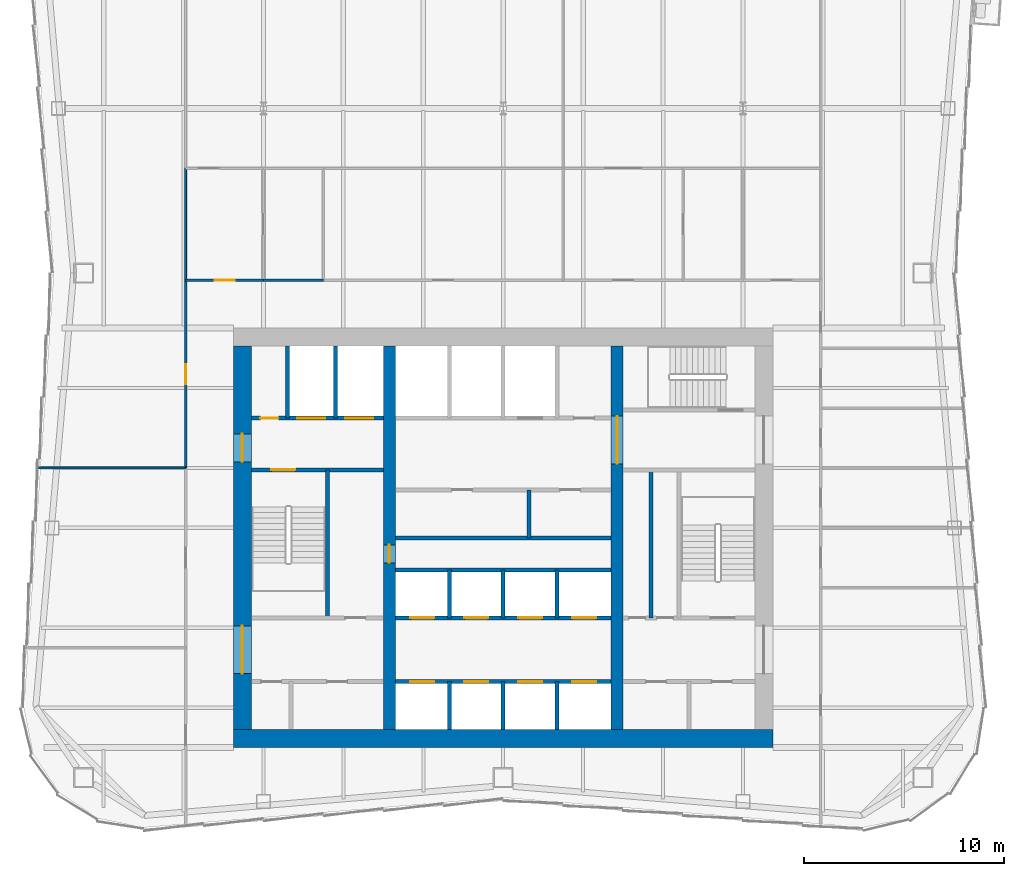
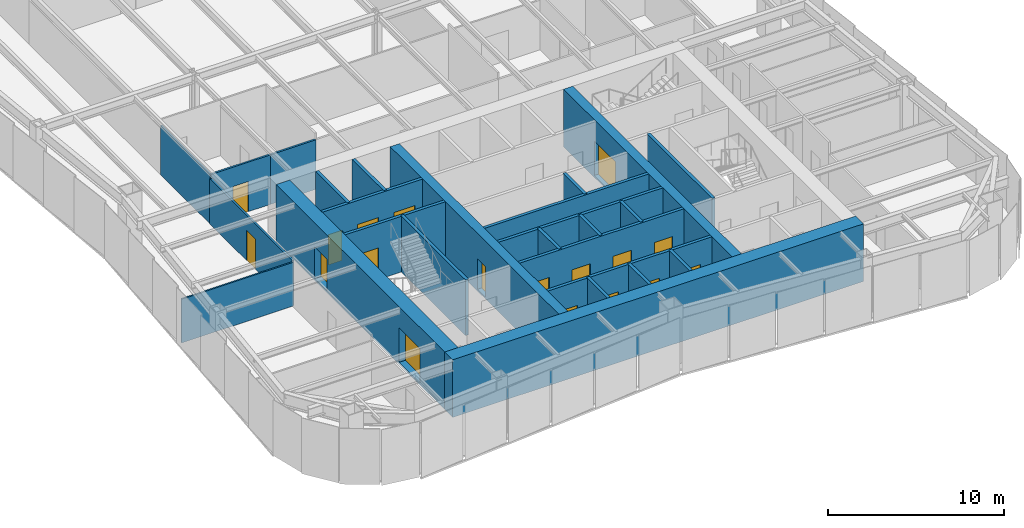
# One storey, part 5 of 10: 26 walls, 18 doors, 18 openings.
"""IFC4 building model written with IfcOpenShell, lengths in metres."""

from ifc_helpers import new_model, si_unit, direction, frame, frame_2d, origin, place, context, subcontext, project, spatial, rectangle, extrude, material, layer, layer_set, type_object, element, fill, save


model = new_model("IFC4")

# Units and contexts
model_context = context("Model", 3, precision=1e-05, world=origin(), true_north=direction((0.0, 1.0)))
body_context = subcontext(model_context, "Body", "Model", "MODEL_VIEW")
ifc_project = project(units=[si_unit("LENGTHUNIT", "METRE"), si_unit("AREAUNIT", "SQUARE_METRE"), si_unit("VOLUMEUNIT", "CUBIC_METRE"), si_unit("PLANEANGLEUNIT", "RADIAN"), si_unit("MASSUNIT", "GRAM", prefix="KILO")], contexts=[model_context])

# Site, building, storey
site_placement = place(None, origin())
site = spatial("IfcSite", under=ifc_project, at=site_placement, CompositionType="ELEMENT")
building_placement = place(site_placement, origin())
building = spatial("IfcBuilding", under=site, at=building_placement, Name="Verdant Reach Tower", CompositionType="ELEMENT")
storey_placement = place(building_placement, frame((0.0, 0.0, 210.0)))
storey = spatial("IfcBuildingStorey", under=building, at=storey_placement, Name="L48", CompositionType="ELEMENT", Elevation=210.0)

# Walls
ifc_material_1 = material(Name="Gypsum board on steel studs", Category="steel")
ifc_layer_1 = layer(ifc_material_1, 0.199951171875)
ifc_layer_set_1 = layer_set([ifc_layer_1], Name="CO-WALL-ROOM")
wall_type_1 = type_object("IfcWallType", Name="CO-WALL-ROOM", PredefinedType="PARTITIONING", material=ifc_layer_set_1)
wall_1_placement = place(storey_placement, frame((-5.39990234375, 28.0, 0.0), z_axis=(0.0, 0.0, 1.0), x_axis=(1.0, 0.0, 0.0)))
element("IfcWall", 1, at=wall_1_placement, inside=storey, type_object=wall_type_1, Name="Core partition, L48", PredefinedType="PARTITIONING", context=body_context, shape_type="SweptSolid", body=[
    extrude(rectangle(XDim=10.7998046875, YDim=0.199951171875, at=frame_2d((5.39990234375, 0.0))), origin(), (0.0, 0.0, 1.0), 3.8701171875),
])
wall_2_placement = place(storey_placement, frame((1.2958984375, 28.0, 0.0), z_axis=(0.0, 0.0, 1.0), x_axis=(0.0, 1.0, 0.0)))
element("IfcWall", 2, at=wall_2_placement, inside=storey, type_object=wall_type_1, Name="Core partition, L48", PredefinedType="PARTITIONING", context=body_context, shape_type="SweptSolid", body=[
    extrude(rectangle(XDim=2.39990234375, YDim=0.199951171875, at=frame_2d((1.199951171875, 0.0))), origin(), (0.0, 0.0, 1.0), 3.8701171875),
])
wall_3_placement = place(storey_placement, frame((7.39990234375, 24.0, 0.0), z_axis=(0.0, 0.0, 1.0), x_axis=(0.0, 1.0, 0.0)))
element("IfcWall", 3, at=wall_3_placement, inside=storey, type_object=wall_type_1, Name="Core partition, L48", PredefinedType="PARTITIONING", context=body_context, shape_type="SweptSolid", body=[
    extrude(rectangle(XDim=7.39990234375, YDim=0.199951171875, at=frame_2d((3.699951171875, 0.0))), origin(), (0.0, 0.0, 1.0), 3.8701171875),
])

# Wall, openings, doors
ifc_material_2 = material(Name="Concrete C40/50", Category="concrete")
ifc_layer_2 = layer(ifc_material_2, 0.199951171875)
ifc_layer_set_2 = layer_set([ifc_layer_2], Name="CO-WALL-SHAFT")
wall_type_2 = type_object("IfcWallType", Name="CO-WALL-SHAFT", PredefinedType="PARTITIONING", material=ifc_layer_set_2)
wall_4_placement = place(storey_placement, frame((-5.39990234375, 20.800048828125, 0.0), z_axis=(0.0, 0.0, 1.0), x_axis=(1.0, 0.0, 0.0)))
wall_4 = element("IfcWall", 4, at=wall_4_placement, inside=storey, type_object=wall_type_2, Name="Lift shaft wall, L48", PredefinedType="PARTITIONING", context=body_context, shape_type="SweptSolid", body=[
    extrude(rectangle(XDim=10.7998046875, YDim=0.199951171875, at=frame_2d((5.39990234375, 0.0))), origin(), (0.0, 0.0, 1.0), 3.8701171875),
])
opening_1_placement = place(wall_4_placement, frame((0.75, 0.0, 0.0)))
opening_1 = element("IfcOpeningElement", 5, at=opening_1_placement, cuts=wall_4, Name="Opening LD-B1", PredefinedType="OPENING", context=body_context, shape_type="SweptSolid", body=[
    extrude(rectangle(XDim=1.199951171875, YDim=2.199951171875, at=frame_2d((0.60009765625, 1.10009765625))), frame((0.0, 0.10986328125, 0.0), z_axis=(0.0, -1.0, 0.0), x_axis=(1.0, 0.0, 0.0)), (0.0, 0.0, 1.0), 0.219970703125),
])
opening_2_placement = place(wall_4_placement, frame((3.449951171875, 0.0, 0.0)))
opening_2 = element("IfcOpeningElement", 6, at=opening_2_placement, cuts=wall_4, Name="Opening LD-B2", PredefinedType="OPENING", context=body_context, shape_type="SweptSolid", body=[
    extrude(rectangle(XDim=1.199951171875, YDim=2.199951171875, at=frame_2d((0.60009765625, 1.10009765625))), frame((0.0, 0.10986328125, 0.0), z_axis=(0.0, -1.0, 0.0), x_axis=(1.0, 0.0, 0.0)), (0.0, 0.0, 1.0), 0.219970703125),
])
opening_3_placement = place(wall_4_placement, frame((6.14990234375, 0.0, 0.0)))
opening_3 = element("IfcOpeningElement", 7, at=opening_3_placement, cuts=wall_4, Name="Opening LD-B3", PredefinedType="OPENING", context=body_context, shape_type="SweptSolid", body=[
    extrude(rectangle(XDim=1.199951171875, YDim=2.199951171875, at=frame_2d((0.60009765625, 1.10009765625))), frame((0.0, 0.10986328125, 0.0), z_axis=(0.0, -1.0, 0.0), x_axis=(1.0, 0.0, 0.0)), (0.0, 0.0, 1.0), 0.219970703125),
])
opening_4_placement = place(wall_4_placement, frame((8.85009765625, 0.0, 0.0)))
opening_4 = element("IfcOpeningElement", 8, at=opening_4_placement, cuts=wall_4, Name="Opening LD-B4", PredefinedType="OPENING", context=body_context, shape_type="SweptSolid", body=[
    extrude(rectangle(XDim=1.199951171875, YDim=2.199951171875, at=frame_2d((0.60009765625, 1.10009765625))), frame((0.0, 0.10986328125, 0.0), z_axis=(0.0, -1.0, 0.0), x_axis=(1.0, 0.0, 0.0)), (0.0, 0.0, 1.0), 0.219970703125),
])
ifc_material_3 = material(Name="Stainless steel", Category="steel")
door_type_1 = type_object("IfcDoorType", Name="CO-DOOR-LANDING", OperationType="SLIDING_TO_LEFT", PredefinedType="DOOR", material=ifc_material_3)
door_1_placement = place(opening_1_placement, origin())
door_1 = element("IfcDoor", 9, at=door_1_placement, inside=storey, type_object=door_type_1, Name="Landing door B1, L48", OperationType="SLIDING_TO_LEFT", OverallHeight=2.199951171875, OverallWidth=1.199951171875, PredefinedType="DOOR", context=body_context, shape_type="SweptSolid", body=[
    extrude(rectangle(XDim=1.199951171875, YDim=2.199951171875, at=frame_2d((0.60009765625, 1.10009765625))), frame((0.0, 0.02490234375, 0.0), z_axis=(0.0, -1.0, 0.0), x_axis=(1.0, 0.0, 0.0)), (0.0, 0.0, 1.0), 0.050048828125),
])
fill(opening_1, door_1)
door_2_placement = place(opening_2_placement, origin())
door_2 = element("IfcDoor", 10, at=door_2_placement, inside=storey, type_object=door_type_1, Name="Landing door B2, L48", OperationType="SLIDING_TO_LEFT", OverallHeight=2.199951171875, OverallWidth=1.199951171875, PredefinedType="DOOR", context=body_context, shape_type="SweptSolid", body=[
    extrude(rectangle(XDim=1.199951171875, YDim=2.199951171875, at=frame_2d((0.60009765625, 1.10009765625))), frame((0.0, 0.02490234375, 0.0), z_axis=(0.0, -1.0, 0.0), x_axis=(1.0, 0.0, 0.0)), (0.0, 0.0, 1.0), 0.050048828125),
])
fill(opening_2, door_2)
door_3_placement = place(opening_3_placement, origin())
door_3 = element("IfcDoor", 11, at=door_3_placement, inside=storey, type_object=door_type_1, Name="Landing door B3, L48", OperationType="SLIDING_TO_LEFT", OverallHeight=2.199951171875, OverallWidth=1.199951171875, PredefinedType="DOOR", context=body_context, shape_type="SweptSolid", body=[
    extrude(rectangle(XDim=1.199951171875, YDim=2.199951171875, at=frame_2d((0.60009765625, 1.10009765625))), frame((0.0, 0.02490234375, 0.0), z_axis=(0.0, -1.0, 0.0), x_axis=(1.0, 0.0, 0.0)), (0.0, 0.0, 1.0), 0.050048828125),
])
fill(opening_3, door_3)
door_4_placement = place(opening_4_placement, origin())
door_4 = element("IfcDoor", 12, at=door_4_placement, inside=storey, type_object=door_type_1, Name="Landing door B4, L48", OperationType="SLIDING_TO_LEFT", OverallHeight=2.199951171875, OverallWidth=1.199951171875, PredefinedType="DOOR", context=body_context, shape_type="SweptSolid", body=[
    extrude(rectangle(XDim=1.199951171875, YDim=2.199951171875, at=frame_2d((0.60009765625, 1.10009765625))), frame((0.0, 0.02490234375, 0.0), z_axis=(0.0, -1.0, 0.0), x_axis=(1.0, 0.0, 0.0)), (0.0, 0.0, 1.0), 0.050048828125),
])
fill(opening_4, door_4)

wall_5_placement = place(storey_placement, frame((-5.39990234375, 24.0, 0.0), z_axis=(0.0, 0.0, 1.0), x_axis=(1.0, 0.0, 0.0)))
wall_5 = element("IfcWall", 13, at=wall_5_placement, inside=storey, type_object=wall_type_2, Name="Lift shaft wall, L48", PredefinedType="PARTITIONING", context=body_context, shape_type="SweptSolid", body=[
    extrude(rectangle(XDim=10.7998046875, YDim=0.199951171875, at=frame_2d((5.39990234375, 0.0))), origin(), (0.0, 0.0, 1.0), 3.8701171875),
])
opening_5_placement = place(wall_5_placement, frame((0.75, 0.0, 0.0)))
opening_5 = element("IfcOpeningElement", 14, at=opening_5_placement, cuts=wall_5, Name="Opening LD-A5", PredefinedType="OPENING", context=body_context, shape_type="SweptSolid", body=[
    extrude(rectangle(XDim=1.199951171875, YDim=2.199951171875, at=frame_2d((0.60009765625, 1.10009765625))), frame((0.0, 0.10986328125, 0.0), z_axis=(0.0, -1.0, 0.0), x_axis=(1.0, 0.0, 0.0)), (0.0, 0.0, 1.0), 0.219970703125),
])
opening_6_placement = place(wall_5_placement, frame((3.449951171875, 0.0, 0.0)))
opening_6 = element("IfcOpeningElement", 15, at=opening_6_placement, cuts=wall_5, Name="Opening LD-A6", PredefinedType="OPENING", context=body_context, shape_type="SweptSolid", body=[
    extrude(rectangle(XDim=1.199951171875, YDim=2.199951171875, at=frame_2d((0.60009765625, 1.10009765625))), frame((0.0, 0.10986328125, 0.0), z_axis=(0.0, -1.0, 0.0), x_axis=(1.0, 0.0, 0.0)), (0.0, 0.0, 1.0), 0.219970703125),
])
opening_7_placement = place(wall_5_placement, frame((6.14990234375, 0.0, 0.0)))
opening_7 = element("IfcOpeningElement", 16, at=opening_7_placement, cuts=wall_5, Name="Opening LD-A7", PredefinedType="OPENING", context=body_context, shape_type="SweptSolid", body=[
    extrude(rectangle(XDim=1.199951171875, YDim=2.199951171875, at=frame_2d((0.60009765625, 1.10009765625))), frame((0.0, 0.10986328125, 0.0), z_axis=(0.0, -1.0, 0.0), x_axis=(1.0, 0.0, 0.0)), (0.0, 0.0, 1.0), 0.219970703125),
])
opening_8_placement = place(wall_5_placement, frame((8.85009765625, 0.0, 0.0)))
opening_8 = element("IfcOpeningElement", 17, at=opening_8_placement, cuts=wall_5, Name="Opening LD-A8", PredefinedType="OPENING", context=body_context, shape_type="SweptSolid", body=[
    extrude(rectangle(XDim=1.199951171875, YDim=2.199951171875, at=frame_2d((0.60009765625, 1.10009765625))), frame((0.0, 0.10986328125, 0.0), z_axis=(0.0, -1.0, 0.0), x_axis=(1.0, 0.0, 0.0)), (0.0, 0.0, 1.0), 0.219970703125),
])
door_5_placement = place(opening_5_placement, origin())
door_5 = element("IfcDoor", 18, at=door_5_placement, inside=storey, type_object=door_type_1, Name="Landing door A5, L48", OperationType="SLIDING_TO_LEFT", OverallHeight=2.199951171875, OverallWidth=1.199951171875, PredefinedType="DOOR", context=body_context, shape_type="SweptSolid", body=[
    extrude(rectangle(XDim=1.199951171875, YDim=2.199951171875, at=frame_2d((0.60009765625, 1.10009765625))), frame((0.0, 0.02490234375, 0.0), z_axis=(0.0, -1.0, 0.0), x_axis=(1.0, 0.0, 0.0)), (0.0, 0.0, 1.0), 0.050048828125),
])
fill(opening_5, door_5)
door_6_placement = place(opening_6_placement, origin())
door_6 = element("IfcDoor", 19, at=door_6_placement, inside=storey, type_object=door_type_1, Name="Landing door A6, L48", OperationType="SLIDING_TO_LEFT", OverallHeight=2.199951171875, OverallWidth=1.199951171875, PredefinedType="DOOR", context=body_context, shape_type="SweptSolid", body=[
    extrude(rectangle(XDim=1.199951171875, YDim=2.199951171875, at=frame_2d((0.60009765625, 1.10009765625))), frame((0.0, 0.02490234375, 0.0), z_axis=(0.0, -1.0, 0.0), x_axis=(1.0, 0.0, 0.0)), (0.0, 0.0, 1.0), 0.050048828125),
])
fill(opening_6, door_6)
door_7_placement = place(opening_7_placement, origin())
door_7 = element("IfcDoor", 20, at=door_7_placement, inside=storey, type_object=door_type_1, Name="Landing door A7, L48", OperationType="SLIDING_TO_LEFT", OverallHeight=2.199951171875, OverallWidth=1.199951171875, PredefinedType="DOOR", context=body_context, shape_type="SweptSolid", body=[
    extrude(rectangle(XDim=1.199951171875, YDim=2.199951171875, at=frame_2d((0.60009765625, 1.10009765625))), frame((0.0, 0.02490234375, 0.0), z_axis=(0.0, -1.0, 0.0), x_axis=(1.0, 0.0, 0.0)), (0.0, 0.0, 1.0), 0.050048828125),
])
fill(opening_7, door_7)
door_8_placement = place(opening_8_placement, origin())
door_8 = element("IfcDoor", 21, at=door_8_placement, inside=storey, type_object=door_type_1, Name="Landing door A8, L48", OperationType="SLIDING_TO_LEFT", OverallHeight=2.199951171875, OverallWidth=1.199951171875, PredefinedType="DOOR", context=body_context, shape_type="SweptSolid", body=[
    extrude(rectangle(XDim=1.199951171875, YDim=2.199951171875, at=frame_2d((0.60009765625, 1.10009765625))), frame((0.0, 0.02490234375, 0.0), z_axis=(0.0, -1.0, 0.0), x_axis=(1.0, 0.0, 0.0)), (0.0, 0.0, 1.0), 0.050048828125),
])
fill(opening_8, door_8)

# Wall
wall_6_placement = place(storey_placement, frame((-5.39990234375, 26.39990234375, 0.0), z_axis=(0.0, 0.0, 1.0), x_axis=(1.0, 0.0, 0.0)))
element("IfcWall", 22, at=wall_6_placement, inside=storey, type_object=wall_type_2, Name="Lift shaft wall, L48", PredefinedType="PARTITIONING", context=body_context, shape_type="SweptSolid", body=[
    extrude(rectangle(XDim=10.7998046875, YDim=0.199951171875, at=frame_2d((5.39990234375, 0.0))), origin(), (0.0, 0.0, 1.0), 3.8701171875),
])

# Wall, openings, doors
wall_7_placement = place(storey_placement, frame((-12.60009765625, 34.0, 0.0), z_axis=(0.0, 0.0, 1.0), x_axis=(1.0, 0.0, 0.0)))
wall_7 = element("IfcWall", 23, at=wall_7_placement, inside=storey, type_object=wall_type_2, Name="Lift shaft wall, L48", PredefinedType="PARTITIONING", context=body_context, shape_type="SweptSolid", body=[
    extrude(rectangle(XDim=6.60009765625, YDim=0.199951171875, at=frame_2d((3.300048828125, 0.0))), origin(), (0.0, 0.0, 1.0), 3.8701171875),
])
opening_9_placement = place(wall_7_placement, frame((4.699951171875, 0.0, 0.0)))
opening_9 = element("IfcOpeningElement", 24, at=opening_9_placement, cuts=wall_7, Name="Opening LD-F1", PredefinedType="OPENING", context=body_context, shape_type="SweptSolid", body=[
    extrude(rectangle(XDim=1.39990234375, YDim=2.199951171875, at=frame_2d((0.699951171875, 1.10009765625))), frame((0.0, 0.10986328125, 0.0), z_axis=(0.0, -1.0, 0.0), x_axis=(1.0, 0.0, 0.0)), (0.0, 0.0, 1.0), 0.219970703125),
])
opening_10_placement = place(wall_7_placement, frame((2.300048828125, 0.0, 0.0)))
opening_10 = element("IfcOpeningElement", 25, at=opening_10_placement, cuts=wall_7, Name="Opening LD-F2", PredefinedType="OPENING", context=body_context, shape_type="SweptSolid", body=[
    extrude(rectangle(XDim=1.39990234375, YDim=2.199951171875, at=frame_2d((0.699951171875, 1.10009765625))), frame((0.0, 0.10986328125, 0.0), z_axis=(0.0, -1.0, 0.0), x_axis=(1.0, 0.0, 0.0)), (0.0, 0.0, 1.0), 0.219970703125),
])
opening_11_placement = place(wall_7_placement, frame((0.449951171875, 0.0, 0.0)))
opening_11 = element("IfcOpeningElement", 26, at=opening_11_placement, cuts=wall_7, Name="Opening RD", PredefinedType="OPENING", context=body_context, shape_type="SweptSolid", body=[
    extrude(rectangle(XDim=0.89990234375, YDim=2.10009765625, at=frame_2d((0.449951171875, 1.050048828125))), frame((0.0, 0.10986328125, 0.0), z_axis=(0.0, -1.0, 0.0), x_axis=(1.0, 0.0, 0.0)), (0.0, 0.0, 1.0), 0.219970703125),
])
door_type_2 = type_object("IfcDoorType", Name="CO-DOOR-LANDING-FF", OperationType="SLIDING_TO_LEFT", PredefinedType="DOOR", material=ifc_material_3)
door_9_placement = place(opening_9_placement, origin())
door_9 = element("IfcDoor", 27, at=door_9_placement, inside=storey, type_object=door_type_2, Name="Landing door F1, L48", OperationType="SLIDING_TO_LEFT", OverallHeight=2.199951171875, OverallWidth=1.39990234375, PredefinedType="DOOR", context=body_context, shape_type="SweptSolid", body=[
    extrude(rectangle(XDim=1.39990234375, YDim=2.199951171875, at=frame_2d((0.699951171875, 1.10009765625))), frame((0.0, 0.02490234375, 0.0), z_axis=(0.0, -1.0, 0.0), x_axis=(1.0, 0.0, 0.0)), (0.0, 0.0, 1.0), 0.050048828125),
])
fill(opening_9, door_9)
door_10_placement = place(opening_10_placement, origin())
door_10 = element("IfcDoor", 28, at=door_10_placement, inside=storey, type_object=door_type_2, Name="Landing door F2, L48", OperationType="SLIDING_TO_LEFT", OverallHeight=2.199951171875, OverallWidth=1.39990234375, PredefinedType="DOOR", context=body_context, shape_type="SweptSolid", body=[
    extrude(rectangle(XDim=1.39990234375, YDim=2.199951171875, at=frame_2d((0.699951171875, 1.10009765625))), frame((0.0, 0.02490234375, 0.0), z_axis=(0.0, -1.0, 0.0), x_axis=(1.0, 0.0, 0.0)), (0.0, 0.0, 1.0), 0.050048828125),
])
fill(opening_10, door_10)
ifc_material_4 = material(Name="Steel", Category="steel")
door_type_3 = type_object("IfcDoorType", Name="CO-DOOR-RISER", OperationType="NOTDEFINED", PredefinedType="DOOR", material=ifc_material_4)
door_11_placement = place(opening_11_placement, origin())
door_11 = element("IfcDoor", 29, at=door_11_placement, inside=storey, type_object=door_type_3, Name="Core room door, L48", OperationType="SINGLE_SWING_RIGHT", OverallHeight=2.10009765625, OverallWidth=0.89990234375, PredefinedType="DOOR", context=body_context, shape_type="SweptSolid", body=[
    extrude(rectangle(XDim=0.89990234375, YDim=2.10009765625, at=frame_2d((0.449951171875, 1.050048828125))), frame((0.0, 0.02490234375, 0.0), z_axis=(0.0, -1.0, 0.0), x_axis=(1.0, 0.0, 0.0)), (0.0, 0.0, 1.0), 0.050048828125),
])
fill(opening_11, door_11)

# Walls
for number, where, z_axis, x_axis, name in (
    (30, (-10.800048828125, 34.0, 0.0), (0.0, 0.0, 1.0), (0.0, 1.0, 0.0), "Lift shaft wall, L48"),
    (31, (-8.39990234375, 34.0, 0.0), (0.0, 0.0, 1.0), (0.0, 1.0, 0.0), "Lift shaft wall, L48"),
):
    element("IfcWall", number, at=place(storey_placement, frame(where, z_axis=z_axis, x_axis=x_axis)), inside=storey, type_object=wall_type_2, Name=name, PredefinedType="PARTITIONING", context=body_context, shape_type="SweptSolid", body=[
        extrude(rectangle(XDim=3.60009765625, YDim=0.199951171875, at=frame_2d((1.800048828125, 0.0))), origin(), (0.0, 0.0, 1.0), 3.8701171875),
    ])
wall_8_placement = place(storey_placement, frame((-2.699951171875, 18.39990234375, 0.0), z_axis=(0.0, 0.0, 1.0), x_axis=(0.0, 1.0, 0.0)))
element("IfcWall", 32, at=wall_8_placement, inside=storey, type_object=wall_type_2, Name="Lift shaft wall, L48", PredefinedType="PARTITIONING", context=body_context, shape_type="SweptSolid", body=[
    extrude(rectangle(XDim=2.400146484375, YDim=0.199951171875, at=frame_2d((1.2001953125, 0.0))), origin(), (0.0, 0.0, 1.0), 3.8701171875),
])
wall_9_placement = place(storey_placement, frame((-2.699951171875, 24.0, 0.0), z_axis=(0.0, 0.0, 1.0), x_axis=(0.0, 1.0, 0.0)))
element("IfcWall", 33, at=wall_9_placement, inside=storey, type_object=wall_type_2, Name="Lift shaft wall, L48", PredefinedType="PARTITIONING", context=body_context, shape_type="SweptSolid", body=[
    extrude(rectangle(XDim=2.39990234375, YDim=0.199951171875, at=frame_2d((1.199951171875, 0.0))), origin(), (0.0, 0.0, 1.0), 3.8701171875),
])
wall_10_placement = place(storey_placement, frame((0.0, 18.39990234375, 0.0), z_axis=(0.0, 0.0, 1.0), x_axis=(0.0, 1.0, 0.0)))
element("IfcWall", 34, at=wall_10_placement, inside=storey, type_object=wall_type_2, Name="Lift shaft wall, L48", PredefinedType="PARTITIONING", context=body_context, shape_type="SweptSolid", body=[
    extrude(rectangle(XDim=2.400146484375, YDim=0.199951171875, at=frame_2d((1.2001953125, 0.0))), origin(), (0.0, 0.0, 1.0), 3.8701171875),
])
wall_11_placement = place(storey_placement, frame((0.0, 24.0, 0.0), z_axis=(0.0, 0.0, 1.0), x_axis=(0.0, 1.0, 0.0)))
element("IfcWall", 35, at=wall_11_placement, inside=storey, type_object=wall_type_2, Name="Lift shaft wall, L48", PredefinedType="PARTITIONING", context=body_context, shape_type="SweptSolid", body=[
    extrude(rectangle(XDim=2.39990234375, YDim=0.199951171875, at=frame_2d((1.199951171875, 0.0))), origin(), (0.0, 0.0, 1.0), 3.8701171875),
])
wall_12_placement = place(storey_placement, frame((2.699951171875, 18.39990234375, 0.0), z_axis=(0.0, 0.0, 1.0), x_axis=(0.0, 1.0, 0.0)))
element("IfcWall", 36, at=wall_12_placement, inside=storey, type_object=wall_type_2, Name="Lift shaft wall, L48", PredefinedType="PARTITIONING", context=body_context, shape_type="SweptSolid", body=[
    extrude(rectangle(XDim=2.400146484375, YDim=0.199951171875, at=frame_2d((1.2001953125, 0.0))), origin(), (0.0, 0.0, 1.0), 3.8701171875),
])
wall_13_placement = place(storey_placement, frame((2.699951171875, 24.0, 0.0), z_axis=(0.0, 0.0, 1.0), x_axis=(0.0, 1.0, 0.0)))
element("IfcWall", 37, at=wall_13_placement, inside=storey, type_object=wall_type_2, Name="Lift shaft wall, L48", PredefinedType="PARTITIONING", context=body_context, shape_type="SweptSolid", body=[
    extrude(rectangle(XDim=2.39990234375, YDim=0.199951171875, at=frame_2d((1.199951171875, 0.0))), origin(), (0.0, 0.0, 1.0), 3.8701171875),
])

# Wall, opening, door
ifc_layer_3 = layer(ifc_material_2, 0.199951171875)
ifc_layer_set_3 = layer_set([ifc_layer_3], Name="CO-WALL-STAIR")
wall_type_3 = type_object("IfcWallType", Name="CO-WALL-STAIR", PredefinedType="PARTITIONING", material=ifc_layer_set_3)
wall_14_placement = place(storey_placement, frame((-12.60009765625, 31.39990234375, 0.0), z_axis=(0.0, 0.0, 1.0), x_axis=(1.0, 0.0, 0.0)))
wall_14 = element("IfcWall", 38, at=wall_14_placement, inside=storey, type_object=wall_type_3, Name="Stair enclosure wall, L48", PredefinedType="PARTITIONING", context=body_context, shape_type="SweptSolid", body=[
    extrude(rectangle(XDim=6.60009765625, YDim=0.199951171875, at=frame_2d((3.300048828125, 0.0))), origin(), (0.0, 0.0, 1.0), 3.8701171875),
])
opening_12_placement = place(wall_14_placement, frame((1.0, 0.0, 0.0)))
opening_12 = element("IfcOpeningElement", 39, at=opening_12_placement, cuts=wall_14, Name="Opening SD", PredefinedType="OPENING", context=body_context, shape_type="SweptSolid", body=[
    extrude(rectangle(XDim=1.199951171875, YDim=2.199951171875, at=frame_2d((0.60009765625, 1.10009765625))), frame((0.0, 0.10986328125, 0.0), z_axis=(0.0, -1.0, 0.0), x_axis=(1.0, 0.0, 0.0)), (0.0, 0.0, 1.0), 0.219970703125),
])
door_type_4 = type_object("IfcDoorType", Name="CO-DOOR-STAIR", OperationType="NOTDEFINED", PredefinedType="DOOR", material=ifc_material_4)
door_12_placement = place(opening_12_placement, origin())
door_12 = element("IfcDoor", 40, at=door_12_placement, inside=storey, type_object=door_type_4, Name="Stair door, L48", OperationType="SINGLE_SWING_LEFT", OverallHeight=2.199951171875, OverallWidth=1.199951171875, PredefinedType="DOOR", context=body_context, shape_type="SweptSolid", body=[
    extrude(rectangle(XDim=1.199951171875, YDim=2.199951171875, at=frame_2d((0.60009765625, 1.10009765625))), frame((0.0, 0.02490234375, 0.0), z_axis=(0.0, -1.0, 0.0), x_axis=(1.0, 0.0, 0.0)), (0.0, 0.0, 1.0), 0.050048828125),
])
fill(opening_12, door_12)

# Walls
wall_15_placement = place(storey_placement, frame((-8.800048828125, 24.0, 0.0), z_axis=(0.0, 0.0, 1.0), x_axis=(0.0, 1.0, 0.0)))
element("IfcWall", 41, at=wall_15_placement, inside=storey, type_object=wall_type_3, Name="Stair enclosure wall, L48", PredefinedType="PARTITIONING", context=body_context, shape_type="SweptSolid", body=[
    extrude(rectangle(XDim=7.39990234375, YDim=0.199951171875, at=frame_2d((3.699951171875, 0.0))), origin(), (0.0, 0.0, 1.0), 3.8701171875),
])
ifc_layer_4 = layer(ifc_material_1, 0.10009765625)
ifc_layer_set_4 = layer_set([ifc_layer_4], Name="FL-W1 Partition 100")
wall_type_4 = type_object("IfcWallType", Name="FL-W1 Partition 100", PredefinedType="PARTITIONING", material=ifc_layer_set_4)
wall_16_placement = place(storey_placement, frame((-15.89990234375, 46.50390625, 0.0), z_axis=(0.0, 0.0, 1.0), x_axis=(0.0, -1.0, 0.0)))
element("IfcWall", 42, at=wall_16_placement, inside=storey, type_object=wall_type_4, Name="Partition 48.18", PredefinedType="PARTITIONING", context=body_context, shape_type="SweptSolid", body=[
    extrude(rectangle(XDim=5.60791015625, YDim=0.10009765625, at=frame_2d((2.803955078125, 0.0))), origin(), (0.0, 0.0, 1.0), 3.43994140625),
])
wall_17_placement = place(storey_placement, frame((-15.89990234375, 31.5, 0.0), z_axis=(0.0, 0.0, 1.0), x_axis=(-1.0, 0.0, 0.0)))
element("IfcWall", 43, at=wall_17_placement, inside=storey, type_object=wall_type_4, Name="Partition 48.41", PredefinedType="PARTITIONING", context=body_context, shape_type="SweptSolid", body=[
    extrude(rectangle(XDim=7.3525390625, YDim=0.10009765625, at=frame_2d((3.67626953125, 0.0))), origin(), (0.0, 0.0, 1.0), 3.0400390625),
])

# Wall, opening, door
ifc_material_5 = material(Name="Gypsum board on steel studs, fire rated", Category="steel")
ifc_layer_5 = layer(ifc_material_5, 0.125)
ifc_layer_set_5 = layer_set([ifc_layer_5], Name="FL-W2 Corridor wall 125")
wall_type_5 = type_object("IfcWallType", Name="FL-W2 Corridor wall 125", PredefinedType="PARTITIONING", material=ifc_layer_set_5)
wall_18_placement = place(storey_placement, frame((-15.89990234375, 40.89990234375, 0.0), z_axis=(0.0, 0.0, 1.0), x_axis=(1.0, 0.0, 0.0)))
wall_18 = element("IfcWall", 44, at=wall_18_placement, inside=storey, type_object=wall_type_5, Name="Partition 48.01", PredefinedType="PARTITIONING", context=body_context, shape_type="SweptSolid", body=[
    extrude(rectangle(XDim=3.89990234375, YDim=0.125, at=frame_2d((1.949951171875, 0.0))), origin(), (0.0, 0.0, 1.0), 3.43994140625),
])
opening_13_placement = place(wall_18_placement, frame((1.449951171875, 0.0, 0.0)))
opening_13 = element("IfcOpeningElement", 45, at=opening_13_placement, cuts=wall_18, Name="Opening D2", PredefinedType="OPENING", context=body_context, shape_type="SweptSolid", body=[
    extrude(rectangle(XDim=1.0, YDim=2.10009765625, at=frame_2d((0.5, 1.050048828125))), frame((0.0, 0.072509765625, 0.0), z_axis=(0.0, -1.0, 0.0), x_axis=(1.0, 0.0, 0.0)), (0.0, 0.0, 1.0), 0.14501953125),
])
ifc_material_6 = material(Name="Timber door leaf, fire rated", Category="wood")
door_type_5 = type_object("IfcDoorType", Name="FL-D2 Entrance door 1000x2100 FD30", OperationType="NOTDEFINED", PredefinedType="DOOR", material=ifc_material_6)
door_13_placement = place(opening_13_placement, origin())
door_13 = element("IfcDoor", 46, at=door_13_placement, inside=storey, type_object=door_type_5, Name="Door 48-001", OperationType="SINGLE_SWING_LEFT", OverallHeight=2.10009765625, OverallWidth=1.0, PredefinedType="DOOR", context=body_context, shape_type="SweptSolid", body=[
    extrude(rectangle(XDim=1.0, YDim=2.10009765625, at=frame_2d((0.5, 1.050048828125))), frame((0.0, 0.02490234375, 0.0), z_axis=(0.0, -1.0, 0.0), x_axis=(1.0, 0.0, 0.0)), (0.0, 0.0, 1.0), 0.050048828125),
])
fill(opening_13, door_13)

# Wall
wall_19_placement = place(storey_placement, frame((-9.0, 40.89990234375, 0.0), z_axis=(0.0, 0.0, 1.0), x_axis=(-1.0, 0.0, 0.0)))
element("IfcWall", 47, at=wall_19_placement, inside=storey, type_object=wall_type_5, Name="Partition 48.02", PredefinedType="PARTITIONING", context=body_context, shape_type="SweptSolid", body=[
    extrude(rectangle(XDim=3.0, YDim=0.125, at=frame_2d((1.5, 0.0))), origin(), (0.0, 0.0, 1.0), 3.43994140625),
])

# Wall, opening, door
wall_20_placement = place(storey_placement, frame((-15.89990234375, 31.5, 0.0), z_axis=(0.0, 0.0, 1.0), x_axis=(0.0, 1.0, 0.0)))
wall_20 = element("IfcWall", 48, at=wall_20_placement, inside=storey, type_object=wall_type_5, Name="Partition 48.09", PredefinedType="PARTITIONING", context=body_context, shape_type="SweptSolid", body=[
    extrude(rectangle(XDim=9.404052734375, YDim=0.125, at=frame_2d((4.7021484375, 0.0))), origin(), (0.0, 0.0, 1.0), 3.139892578125),
])
opening_14_placement = place(wall_20_placement, frame((4.201904296875, 0.0, 0.0)))
opening_14 = element("IfcOpeningElement", 49, at=opening_14_placement, cuts=wall_20, Name="Opening D2", PredefinedType="OPENING", context=body_context, shape_type="SweptSolid", body=[
    extrude(rectangle(XDim=1.0, YDim=2.10009765625, at=frame_2d((0.5, 1.050048828125))), frame((0.0, 0.072509765625, 0.0), z_axis=(0.0, -1.0, 0.0), x_axis=(1.0, 0.0, 0.0)), (0.0, 0.0, 1.0), 0.14501953125),
])
door_14_placement = place(opening_14_placement, origin())
door_14 = element("IfcDoor", 50, at=door_14_placement, inside=storey, type_object=door_type_5, Name="Door 48-007", OperationType="SINGLE_SWING_LEFT", OverallHeight=2.10009765625, OverallWidth=1.0, PredefinedType="DOOR", context=body_context, shape_type="SweptSolid", body=[
    extrude(rectangle(XDim=1.0, YDim=2.10009765625, at=frame_2d((0.5, 1.050048828125))), frame((0.0, 0.02490234375, 0.0), z_axis=(0.0, -1.0, 0.0), x_axis=(1.0, 0.0, 0.0)), (0.0, 0.0, 1.0), 0.050048828125),
])
fill(opening_14, door_14)

ifc_material_7 = material(Name="Concrete C70/85", Category="concrete")
ifc_layer_6 = layer(ifc_material_7, 0.60009765625)
ifc_layer_set_6 = layer_set([ifc_layer_6], Name="ST-CORE-WALL-600")
wall_type_6 = type_object("IfcWallType", Name="ST-CORE-WALL-600", PredefinedType="SHEAR", material=ifc_layer_set_6)
wall_21_placement = place(storey_placement, frame((-5.699951171875, 18.39990234375, -0.1298828125), z_axis=(0.0, 0.0, 1.0), x_axis=(0.0, 1.0, 0.0)))
wall_21 = element("IfcWall", 51, at=wall_21_placement, inside=storey, type_object=wall_type_6, Name="Core wall XW, L48", PredefinedType="SHEAR", context=body_context, shape_type="SweptSolid", body=[
    extrude(rectangle(XDim=19.2001953125, YDim=0.60009765625, at=frame_2d((9.60009765625, 0.0))), origin(), (0.0, 0.0, 1.0), 4.0),
])
opening_15_placement = place(wall_21_placement, frame((8.35009765625, 0.0, 0.1298828125)))
opening_15 = element("IfcOpeningElement", 52, at=opening_15_placement, cuts=wall_21, Name="Opening RD", PredefinedType="OPENING", context=body_context, shape_type="SweptSolid", body=[
    extrude(rectangle(XDim=0.89990234375, YDim=2.10009765625, at=frame_2d((0.449951171875, 1.050048828125))), frame((0.0, 0.31005859375, 0.0), z_axis=(0.0, -1.0, 0.0), x_axis=(1.0, 0.0, 0.0)), (0.0, 0.0, 1.0), 0.6201171875),
])
door_15_placement = place(opening_15_placement, origin())
door_15 = element("IfcDoor", 53, at=door_15_placement, inside=storey, type_object=door_type_3, Name="Riser door, L48", OperationType="SINGLE_SWING_LEFT", OverallHeight=2.10009765625, OverallWidth=0.89990234375, PredefinedType="DOOR", context=body_context, shape_type="SweptSolid", body=[
    extrude(rectangle(XDim=0.89990234375, YDim=2.10009765625, at=frame_2d((0.449951171875, 1.050048828125))), frame((0.0, 0.02490234375, 0.0), z_axis=(0.0, -1.0, 0.0), x_axis=(1.0, 0.0, 0.0)), (0.0, 0.0, 1.0), 0.050048828125),
])
fill(opening_15, door_15)

wall_22_placement = place(storey_placement, frame((5.699951171875, 18.39990234375, -0.1298828125), z_axis=(0.0, 0.0, 1.0), x_axis=(0.0, 1.0, 0.0)))
wall_22 = element("IfcWall", 54, at=wall_22_placement, inside=storey, type_object=wall_type_6, Name="Core wall XE, L48", PredefinedType="SHEAR", context=body_context, shape_type="SweptSolid", body=[
    extrude(rectangle(XDim=19.2001953125, YDim=0.60009765625, at=frame_2d((9.60009765625, 0.0))), origin(), (0.0, 0.0, 1.0), 4.0),
])
opening_16_placement = place(wall_22_placement, frame((13.300048828125, 0.0, 0.1298828125)))
opening_16 = element("IfcOpeningElement", 55, at=opening_16_placement, cuts=wall_22, Name="Opening LB", PredefinedType="OPENING", context=body_context, shape_type="SweptSolid", body=[
    extrude(rectangle(XDim=2.39990234375, YDim=2.39990234375, at=frame_2d((1.199951171875, 1.199951171875))), frame((0.0, 0.31005859375, 0.0), z_axis=(0.0, -1.0, 0.0), x_axis=(1.0, 0.0, 0.0)), (0.0, 0.0, 1.0), 0.6201171875),
])
ifc_material_8 = material(Name="Glass and steel", Category="steel")
door_type_6 = type_object("IfcDoorType", Name="CO-DOOR-LOBBY", OperationType="DOUBLE_DOOR_SINGLE_SWING", PredefinedType="DOOR", material=ifc_material_8)
door_16_placement = place(opening_16_placement, origin())
door_16 = element("IfcDoor", 56, at=door_16_placement, inside=storey, type_object=door_type_6, Name="Core entrance door, L48", OperationType="DOUBLE_DOOR_SINGLE_SWING", OverallHeight=2.39990234375, OverallWidth=2.39990234375, PredefinedType="DOOR", context=body_context, shape_type="SweptSolid", body=[
    extrude(rectangle(XDim=2.39990234375, YDim=2.39990234375, at=frame_2d((1.199951171875, 1.199951171875))), frame((0.0, 0.02490234375, 0.0), z_axis=(0.0, -1.0, 0.0), x_axis=(1.0, 0.0, 0.0)), (0.0, 0.0, 1.0), 0.050048828125),
])
fill(opening_16, door_16)

# Wall
ifc_layer_7 = layer(ifc_material_7, 0.89990234375)
ifc_layer_set_7 = layer_set([ifc_layer_7], Name="ST-CORE-WALL-900")
wall_type_7 = type_object("IfcWallType", Name="ST-CORE-WALL-900", PredefinedType="SHEAR", material=ifc_layer_set_7)
wall_23_placement = place(storey_placement, frame((-13.5, 17.949951171875, -0.1298828125), z_axis=(0.0, 0.0, 1.0), x_axis=(1.0, 0.0, 0.0)))
element("IfcWall", 57, at=wall_23_placement, inside=storey, type_object=wall_type_7, Name="Core wall S, L48", PredefinedType="SHEAR", context=body_context, shape_type="SweptSolid", body=[
    extrude(rectangle(XDim=27.0, YDim=0.89990234375, at=frame_2d((13.5, 0.0))), origin(), (0.0, 0.0, 1.0), 4.0),
])

# Wall, openings, doors
wall_24_placement = place(storey_placement, frame((-13.050048828125, 18.39990234375, -0.1298828125), z_axis=(0.0, 0.0, 1.0), x_axis=(0.0, 1.0, 0.0)))
wall_24 = element("IfcWall", 58, at=wall_24_placement, inside=storey, type_object=wall_type_7, Name="Core wall W, L48", PredefinedType="SHEAR", context=body_context, shape_type="SweptSolid", body=[
    extrude(rectangle(XDim=19.2001953125, YDim=0.89990234375, at=frame_2d((9.60009765625, 0.0))), origin(), (0.0, 0.0, 1.0), 4.0),
])
opening_17_placement = place(wall_24_placement, frame((2.800048828125, 0.0, 0.1298828125)))
opening_17 = element("IfcOpeningElement", 59, at=opening_17_placement, cuts=wall_24, Name="Opening LB", PredefinedType="OPENING", context=body_context, shape_type="SweptSolid", body=[
    extrude(rectangle(XDim=2.39990234375, YDim=2.39990234375, at=frame_2d((1.199951171875, 1.199951171875))), frame((0.0, 0.4599609375, 0.0), z_axis=(0.0, -1.0, 0.0), x_axis=(1.0, 0.0, 0.0)), (0.0, 0.0, 1.0), 0.919921875),
])
opening_18_placement = place(wall_24_placement, frame((13.39990234375, 0.0, 0.1298828125)))
opening_18 = element("IfcOpeningElement", 60, at=opening_18_placement, cuts=wall_24, Name="Opening FL", PredefinedType="OPENING", context=body_context, shape_type="SweptSolid", body=[
    extrude(rectangle(XDim=1.39990234375, YDim=2.199951171875, at=frame_2d((0.699951171875, 1.10009765625))), frame((0.0, 0.4599609375, 0.0), z_axis=(0.0, -1.0, 0.0), x_axis=(1.0, 0.0, 0.0)), (0.0, 0.0, 1.0), 0.919921875),
])
door_type_7 = type_object("IfcDoorType", Name="CO-DOOR-FFL", OperationType="NOTDEFINED", PredefinedType="DOOR", material=ifc_material_4)
door_17_placement = place(opening_18_placement, origin())
door_17 = element("IfcDoor", 61, at=door_17_placement, inside=storey, type_object=door_type_7, Name="Core entrance door, L48", OperationType="SINGLE_SWING_LEFT", OverallHeight=2.199951171875, OverallWidth=1.39990234375, PredefinedType="DOOR", context=body_context, shape_type="SweptSolid", body=[
    extrude(rectangle(XDim=1.39990234375, YDim=2.199951171875, at=frame_2d((0.699951171875, 1.10009765625))), frame((0.0, 0.02490234375, 0.0), z_axis=(0.0, -1.0, 0.0), x_axis=(1.0, 0.0, 0.0)), (0.0, 0.0, 1.0), 0.050048828125),
])
fill(opening_18, door_17)
door_18_placement = place(opening_17_placement, origin())
door_18 = element("IfcDoor", 62, at=door_18_placement, inside=storey, type_object=door_type_6, Name="Core entrance door, L48", OperationType="DOUBLE_DOOR_SINGLE_SWING", OverallHeight=2.39990234375, OverallWidth=2.39990234375, PredefinedType="DOOR", context=body_context, shape_type="SweptSolid", body=[
    extrude(rectangle(XDim=2.39990234375, YDim=2.39990234375, at=frame_2d((1.199951171875, 1.199951171875))), frame((0.0, 0.02490234375, 0.0), z_axis=(0.0, -1.0, 0.0), x_axis=(1.0, 0.0, 0.0)), (0.0, 0.0, 1.0), 0.050048828125),
])
fill(opening_17, door_18)

save(model, "model.ifc")
